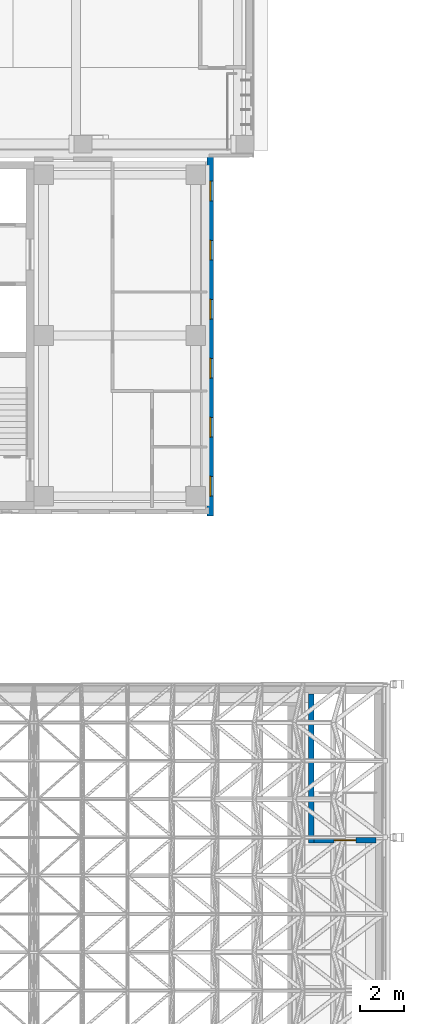
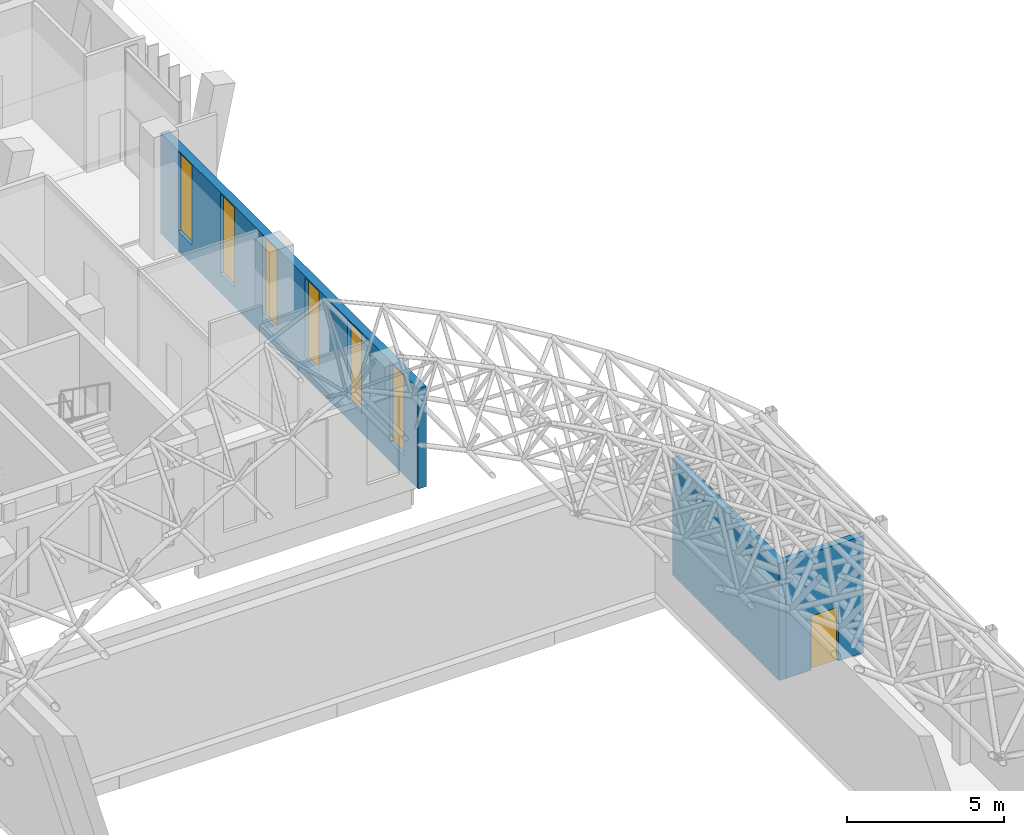
# One storey, part 108 of 141: 6 windows, 3 walls, 1 door, 7 openings.
"""IFC4 building model written with IfcOpenShell, lengths in metres."""

from ifc_helpers import new_model, si_unit, direction, frame, frame_2d, origin, place, context, subcontext, project, spatial, rectangle, extrude, material, layer, layer_set, type_object, element, fill, save


model = new_model("IFC4")

# Units and contexts
model_context = context("Model", 3, precision=1e-05, world=origin(), true_north=direction((0.0, 1.0)))
body_context = subcontext(model_context, "Body", "Model", "MODEL_VIEW")
ifc_project = project(units=[si_unit("LENGTHUNIT", "METRE"), si_unit("AREAUNIT", "SQUARE_METRE"), si_unit("VOLUMEUNIT", "CUBIC_METRE"), si_unit("PLANEANGLEUNIT", "RADIAN"), si_unit("MASSUNIT", "GRAM", prefix="KILO")], contexts=[model_context])

# Site, building, storey
site_placement = place(None, origin())
site = spatial("IfcSite", under=ifc_project, at=site_placement, CompositionType="ELEMENT")
building_placement = place(site_placement, origin())
building = spatial("IfcBuilding", under=site, at=building_placement, Name="Lantern Court Media Centre", CompositionType="ELEMENT")
storey_placement = place(building_placement, frame((0.0, 0.0, 9.60009765625)))
storey = spatial("IfcBuildingStorey", under=building, at=storey_placement, Name="L02", CompositionType="ELEMENT", Elevation=9.60009765625)

# Wall, openings, windows
ifc_material_1 = material(Name="Honed limestone cladding on blockwork", Category="masonry")
ifc_layer_1 = layer(ifc_material_1, 0.300048828125)
ifc_layer_set_1 = layer_set([ifc_layer_1], Name="Honed limestone cladding on blockwork")
wall_type_1 = type_object("IfcWallType", Name="Limestone block wall 300", PredefinedType="SOLIDWALL", material=ifc_layer_set_1)
wall_1_placement = place(storey_placement, frame((96.070068359375, 47.699951171875, 0.0), z_axis=(0.0, 0.0, 1.0), x_axis=(0.0, 1.0, 0.0)))
wall_1 = element("IfcWall", 1, at=wall_1_placement, inside=storey, type_object=wall_type_1, Name="Limestone wall SE E L02", PredefinedType="SOLIDWALL", context=body_context, shape_type="SweptSolid", body=[
    extrude(rectangle(XDim=16.400146484375, YDim=0.300048828125, at=frame_2d((8.2001953125, 0.0))), origin(), (0.0, 0.0, 1.0), 3.89990234375),
])
opening_1_placement = place(wall_1_placement, frame((0.89990234375, 0.0, 0.75)))
opening_1 = element("IfcOpeningElement", 2, at=opening_1_placement, cuts=wall_1, Name="Opening WN-N", PredefinedType="OPENING", context=body_context, shape_type="SweptSolid", body=[
    extrude(rectangle(XDim=0.89990234375, YDim=3.10009765625, at=frame_2d((0.449951171875, 1.550048828125))), frame((0.0, 0.159912109375, 0.0), z_axis=(0.0, -1.0, 0.0), x_axis=(1.0, 0.0, 0.0)), (0.0, 0.0, 1.0), 0.320068359375),
])
opening_2_placement = place(wall_1_placement, frame((3.60009765625, 0.0, 0.75)))
opening_2 = element("IfcOpeningElement", 3, at=opening_2_placement, cuts=wall_1, Name="Opening WN-N", PredefinedType="OPENING", context=body_context, shape_type="SweptSolid", body=[
    extrude(rectangle(XDim=0.89990234375, YDim=3.10009765625, at=frame_2d((0.449951171875, 1.550048828125))), frame((0.0, 0.159912109375, 0.0), z_axis=(0.0, -1.0, 0.0), x_axis=(1.0, 0.0, 0.0)), (0.0, 0.0, 1.0), 0.320068359375),
])
opening_3_placement = place(wall_1_placement, frame((6.300048828125, 0.0, 0.75)))
opening_3 = element("IfcOpeningElement", 4, at=opening_3_placement, cuts=wall_1, Name="Opening WN-N", PredefinedType="OPENING", context=body_context, shape_type="SweptSolid", body=[
    extrude(rectangle(XDim=0.89990234375, YDim=3.10009765625, at=frame_2d((0.449951171875, 1.550048828125))), frame((0.0, 0.159912109375, 0.0), z_axis=(0.0, -1.0, 0.0), x_axis=(1.0, 0.0, 0.0)), (0.0, 0.0, 1.0), 0.320068359375),
])
opening_4_placement = place(wall_1_placement, frame((9.0, 0.0, 0.75)))
opening_4 = element("IfcOpeningElement", 5, at=opening_4_placement, cuts=wall_1, Name="Opening WN-N", PredefinedType="OPENING", context=body_context, shape_type="SweptSolid", body=[
    extrude(rectangle(XDim=0.89990234375, YDim=3.10009765625, at=frame_2d((0.449951171875, 1.550048828125))), frame((0.0, 0.159912109375, 0.0), z_axis=(0.0, -1.0, 0.0), x_axis=(1.0, 0.0, 0.0)), (0.0, 0.0, 1.0), 0.320068359375),
])
opening_5_placement = place(wall_1_placement, frame((11.699951171875, 0.0, 0.75)))
opening_5 = element("IfcOpeningElement", 6, at=opening_5_placement, cuts=wall_1, Name="Opening WN-N", PredefinedType="OPENING", context=body_context, shape_type="SweptSolid", body=[
    extrude(rectangle(XDim=0.89990234375, YDim=3.10009765625, at=frame_2d((0.449951171875, 1.550048828125))), frame((0.0, 0.159912109375, 0.0), z_axis=(0.0, -1.0, 0.0), x_axis=(1.0, 0.0, 0.0)), (0.0, 0.0, 1.0), 0.320068359375),
])
opening_6_placement = place(wall_1_placement, frame((14.39990234375, 0.0, 0.75)))
opening_6 = element("IfcOpeningElement", 7, at=opening_6_placement, cuts=wall_1, Name="Opening WN-N", PredefinedType="OPENING", context=body_context, shape_type="SweptSolid", body=[
    extrude(rectangle(XDim=0.89990234375, YDim=3.10009765625, at=frame_2d((0.449951171875, 1.550048828125))), frame((0.0, 0.159912109375, 0.0), z_axis=(0.0, -1.0, 0.0), x_axis=(1.0, 0.0, 0.0)), (0.0, 0.0, 1.0), 0.320068359375),
])
ifc_material_2 = material(Name="Anodised aluminium and glass", Category="aluminium")
window_type = type_object("IfcWindowType", Name="Pier window 900x3100", PartitioningType="SINGLE_PANEL", PredefinedType="WINDOW", material=ifc_material_2)
window_1_placement = place(opening_1_placement, origin())
window_1 = element("IfcWindow", 8, at=window_1_placement, inside=storey, type_object=window_type, Name="Window SE E L02", OverallHeight=3.10009765625, OverallWidth=0.89990234375, PartitioningType="SINGLE_PANEL", PredefinedType="WINDOW", context=body_context, shape_type="SweptSolid", body=[
    extrude(rectangle(XDim=0.89990234375, YDim=3.10009765625, at=frame_2d((0.449951171875, 1.550048828125))), frame((0.0, 0.030029296875, 0.0), z_axis=(0.0, -1.0, 0.0), x_axis=(1.0, 0.0, 0.0)), (0.0, 0.0, 1.0), 0.06005859375),
])
fill(opening_1, window_1)
window_2_placement = place(opening_2_placement, origin())
window_2 = element("IfcWindow", 9, at=window_2_placement, inside=storey, type_object=window_type, Name="Window SE E L02", OverallHeight=3.10009765625, OverallWidth=0.89990234375, PartitioningType="SINGLE_PANEL", PredefinedType="WINDOW", context=body_context, shape_type="SweptSolid", body=[
    extrude(rectangle(XDim=0.89990234375, YDim=3.10009765625, at=frame_2d((0.449951171875, 1.550048828125))), frame((0.0, 0.030029296875, 0.0), z_axis=(0.0, -1.0, 0.0), x_axis=(1.0, 0.0, 0.0)), (0.0, 0.0, 1.0), 0.06005859375),
])
fill(opening_2, window_2)
window_3_placement = place(opening_3_placement, origin())
window_3 = element("IfcWindow", 10, at=window_3_placement, inside=storey, type_object=window_type, Name="Window SE E L02", OverallHeight=3.10009765625, OverallWidth=0.89990234375, PartitioningType="SINGLE_PANEL", PredefinedType="WINDOW", context=body_context, shape_type="SweptSolid", body=[
    extrude(rectangle(XDim=0.89990234375, YDim=3.10009765625, at=frame_2d((0.449951171875, 1.550048828125))), frame((0.0, 0.030029296875, 0.0), z_axis=(0.0, -1.0, 0.0), x_axis=(1.0, 0.0, 0.0)), (0.0, 0.0, 1.0), 0.06005859375),
])
fill(opening_3, window_3)
window_4_placement = place(opening_4_placement, origin())
window_4 = element("IfcWindow", 11, at=window_4_placement, inside=storey, type_object=window_type, Name="Window SE E L02", OverallHeight=3.10009765625, OverallWidth=0.89990234375, PartitioningType="SINGLE_PANEL", PredefinedType="WINDOW", context=body_context, shape_type="SweptSolid", body=[
    extrude(rectangle(XDim=0.89990234375, YDim=3.10009765625, at=frame_2d((0.449951171875, 1.550048828125))), frame((0.0, 0.030029296875, 0.0), z_axis=(0.0, -1.0, 0.0), x_axis=(1.0, 0.0, 0.0)), (0.0, 0.0, 1.0), 0.06005859375),
])
fill(opening_4, window_4)
window_5_placement = place(opening_5_placement, origin())
window_5 = element("IfcWindow", 12, at=window_5_placement, inside=storey, type_object=window_type, Name="Window SE E L02", OverallHeight=3.10009765625, OverallWidth=0.89990234375, PartitioningType="SINGLE_PANEL", PredefinedType="WINDOW", context=body_context, shape_type="SweptSolid", body=[
    extrude(rectangle(XDim=0.89990234375, YDim=3.10009765625, at=frame_2d((0.449951171875, 1.550048828125))), frame((0.0, 0.030029296875, 0.0), z_axis=(0.0, -1.0, 0.0), x_axis=(1.0, 0.0, 0.0)), (0.0, 0.0, 1.0), 0.06005859375),
])
fill(opening_5, window_5)
window_6_placement = place(opening_6_placement, origin())
window_6 = element("IfcWindow", 13, at=window_6_placement, inside=storey, type_object=window_type, Name="Window SE E L02", OverallHeight=3.10009765625, OverallWidth=0.89990234375, PartitioningType="SINGLE_PANEL", PredefinedType="WINDOW", context=body_context, shape_type="SweptSolid", body=[
    extrude(rectangle(XDim=0.89990234375, YDim=3.10009765625, at=frame_2d((0.449951171875, 1.550048828125))), frame((0.0, 0.030029296875, 0.0), z_axis=(0.0, -1.0, 0.0), x_axis=(1.0, 0.0, 0.0)), (0.0, 0.0, 1.0), 0.06005859375),
])
fill(opening_6, window_6)

# Wall
ifc_material_3 = material(Name="Concrete C40", Category="concrete")
ifc_layer_2 = layer(ifc_material_3, 0.25)
ifc_layer_set_2 = layer_set([ifc_layer_2], Name="Concrete C40")
wall_type_2 = type_object("IfcWallType", Name="RC stair shaft wall 250", PredefinedType="SOLIDWALL", material=ifc_layer_set_2)
wall_2_placement = place(storey_placement, frame((100.675048828125, 32.75, 0.0), z_axis=(0.0, 0.0, 1.0), x_axis=(0.0, 1.0, 0.0)))
element("IfcWall", 14, at=wall_2_placement, inside=storey, type_object=wall_type_2, Name="L02 V2-ST-E shaft wall W", PredefinedType="SOLIDWALL", context=body_context, shape_type="SweptSolid", body=[
    extrude(rectangle(XDim=6.800048828125, YDim=0.25, at=frame_2d((3.39990234375, 0.0))), origin(), (0.0, 0.0, 1.0), 4.5498046875),
])

# Wall, opening, door
wall_3_placement = place(storey_placement, frame((100.800048828125, 32.875, 0.0), z_axis=(0.0, 0.0, 1.0), x_axis=(1.0, 0.0, 0.0)))
wall_3 = element("IfcWall", 15, at=wall_3_placement, inside=storey, type_object=wall_type_2, Name="L02 V2-ST-E shaft wall S", PredefinedType="SOLIDWALL", context=body_context, shape_type="SweptSolid", body=[
    extrude(rectangle(XDim=2.849853515625, YDim=0.25, at=frame_2d((1.4248046875, 0.0))), origin(), (0.0, 0.0, 1.0), 4.5498046875),
])
opening_7_placement = place(wall_3_placement, frame((0.925048828125, 0.0, 0.0)))
opening_7 = element("IfcOpeningElement", 16, at=opening_7_placement, cuts=wall_3, Name="Opening V2-ST-E-L02-01", PredefinedType="OPENING", context=body_context, shape_type="SweptSolid", body=[
    extrude(rectangle(XDim=1.0, YDim=2.10009765625, at=frame_2d((0.5, 1.050048828125))), frame((0.0, 0.135009765625, 0.0), z_axis=(0.0, -1.0, 0.0), x_axis=(1.0, 0.0, 0.0)), (0.0, 0.0, 1.0), 0.27001953125),
])
ifc_material_4 = material(Name="Steel door leaf", Category="steel")
door_type = type_object("IfcDoorType", Name="Stair door 1000x2100", OperationType="NOTDEFINED", PredefinedType="DOOR", material=ifc_material_4)
door_placement = place(opening_7_placement, frame((1.0, 0.0, 0.0), z_axis=(0.0, 0.0, 1.0), x_axis=(-1.0, 0.0, 0.0)))
door = element("IfcDoor", 17, at=door_placement, inside=storey, type_object=door_type, Name="L02 V2-ST-E stair door", OperationType="SINGLE_SWING_RIGHT", OverallHeight=2.10009765625, OverallWidth=1.0, PredefinedType="DOOR", context=body_context, shape_type="SweptSolid", body=[
    extrude(rectangle(XDim=1.0, YDim=2.10009765625, at=frame_2d((0.5, 1.050048828125))), frame((0.0, 0.02490234375, 0.0), z_axis=(0.0, -1.0, 0.0), x_axis=(1.0, 0.0, 0.0)), (0.0, 0.0, 1.0), 0.050048828125),
])
fill(opening_7, door)

save(model, "model.ifc")
